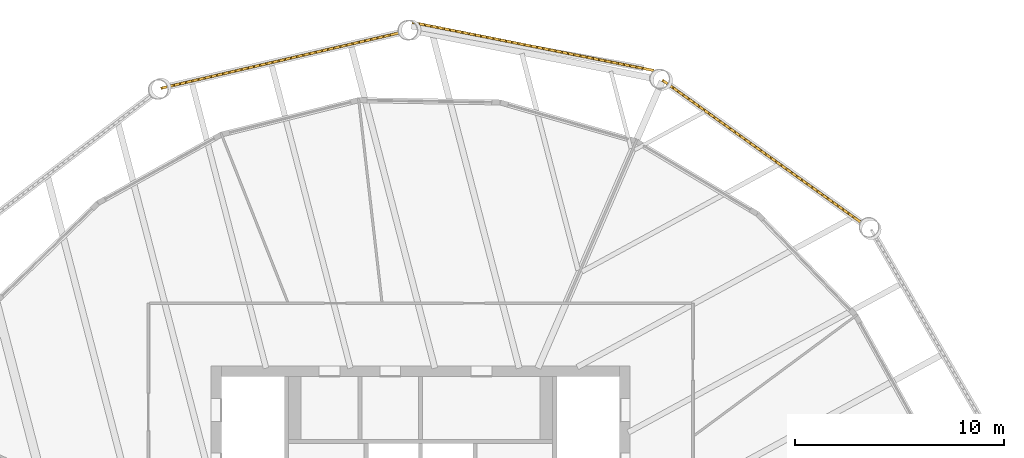
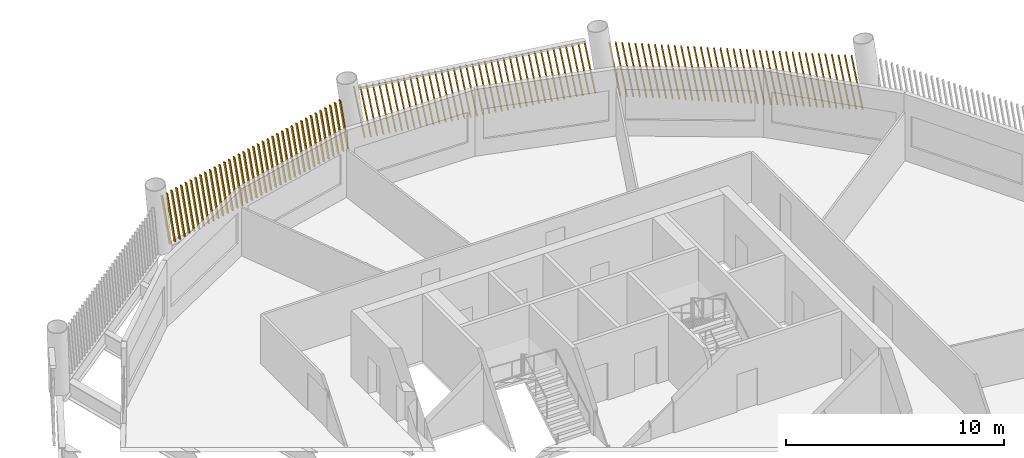
# One storey, part 13 of 14: 3 shading devices.
"""IFC4 building model written with IfcOpenShell, lengths in metres."""

import ifcopenshell
import ifcopenshell.guid

model = None  # the IFC model being written
_history = None  # IfcOwnerHistory: only IFC2X3 demands one
_inside = {}  # id of a spatial element -> (the spatial element, [elements in it])
_under = {}  # id of a project, library or spatial element -> (it, [spatial elements below it])
_declared = {}  # id of a project -> (the project, [libraries it declares])
_typed = {}  # id of a type object -> (the type object, [elements of that type])
_made_of = {}  # id of a material, layer set ... -> (it, [elements and type objects made of it])


def new_model(schema):
    """Start an empty IFC model of exactly this schema.

    Asked for "IFC4X3", IfcOpenShell would pick the latest addendum, in which some entities
    have other attributes; the version numbers below select the first issue.
    IFC2X3 requires an IfcOwnerHistory on every rooted entity: one is made here for all.
    """
    global model, _history
    if schema == "IFC4X3":
        model = ifcopenshell.file(schema_version=(4, 3, 0, 0))
    else:
        model = ifcopenshell.file(schema=schema)
    _inside.clear()
    _under.clear()
    _declared.clear()
    _typed.clear()
    _made_of.clear()
    _history = None
    if model.schema == "IFC2X3":
        org = make("IfcOrganization", Name="unknown")
        user = make(
            "IfcPersonAndOrganization",
            ThePerson=make("IfcPerson", FamilyName="unknown"),
            TheOrganization=org,
        )
        app = make(
            "IfcApplication",
            ApplicationDeveloper=org,
            Version="unknown",
            ApplicationFullName="unknown",
            ApplicationIdentifier="unknown",
        )
        _history = make(
            "IfcOwnerHistory",
            OwningUser=user,
            OwningApplication=app,
            ChangeAction="ADDED",
            CreationDate=0,
        )
    return model


def make(cls, **values):
    """One entity of the class cls with the attributes given. An attribute that is None is left unset."""
    return model.create_entity(
        cls, **{name: value for name, value in values.items() if value is not None}
    )


def rooted(cls, **values):
    """An entity with a GlobalId (a new one), such as an element, a storey or a relation."""
    return make(cls, GlobalId=ifcopenshell.guid.new(), OwnerHistory=_history, **values)


def si_unit(unit_type, name, prefix=None):
    """IfcSIUnit, for example si_unit("LENGTHUNIT", "METRE", prefix="MILLI")."""
    return make("IfcSIUnit", UnitType=unit_type, Prefix=prefix, Name=name)


def assignment(units):
    """IfcUnitAssignment: the units of a project."""
    return None if units is None else make("IfcUnitAssignment", Units=units)


def point(xyz):
    """IfcCartesianPoint."""
    return None if xyz is None else make("IfcCartesianPoint", Coordinates=xyz)


def direction(xyz):
    """IfcDirection."""
    return None if xyz is None else make("IfcDirection", DirectionRatios=xyz)


def frame(location, z_axis=None, x_axis=None):
    """IfcAxis2Placement3D, a coordinate frame: its origin and axes. An axis left out is left unset."""
    return make(
        "IfcAxis2Placement3D",
        Location=point(location),
        Axis=direction(z_axis),
        RefDirection=direction(x_axis),
    )


def frame_2d(location, x_axis=None):
    """IfcAxis2Placement2D, a coordinate frame in the plane: its origin and x axis."""
    return make(
        "IfcAxis2Placement2D", Location=point(location), RefDirection=direction(x_axis)
    )


def origin():
    """The frame at (0, 0, 0) with its axes left unset."""
    return frame((0.0, 0.0, 0.0))


def place(relative_to, where):
    """IfcLocalPlacement: puts the frame where relative to a parent placement (None: the world)."""
    return make(
        "IfcLocalPlacement", PlacementRelTo=relative_to, RelativePlacement=where
    )


def context(
    kind, dimensions, precision=None, world=None, true_north=None, identifier=None
):
    """IfcGeometricRepresentationContext, for example the 3D "Model" context."""
    return make(
        "IfcGeometricRepresentationContext",
        ContextIdentifier=identifier,
        ContextType=kind,
        CoordinateSpaceDimension=dimensions,
        Precision=precision,
        WorldCoordinateSystem=world,
        TrueNorth=true_north,
    )


def subcontext(parent, identifier, kind, view, scale=None):
    """IfcGeometricRepresentationSubContext, for example "Body" below "Model"."""
    return make(
        "IfcGeometricRepresentationSubContext",
        ContextIdentifier=identifier,
        ContextType=kind,
        ParentContext=parent,
        TargetScale=scale,
        TargetView=view,
    )


def project(units=None, contexts=None):
    """IfcProject with its units and contexts."""
    return rooted(
        "IfcProject",
        Name="project",
        RepresentationContexts=contexts,
        UnitsInContext=assignment(units),
    )


def spatial(cls, under=None, at=None, **own):
    """A site, building, storey or space (cls), placed at a placement, below another one or the project."""
    s = rooted(cls, ObjectPlacement=at, **own)
    if under is not None:
        _under.setdefault(under.id(), (under, []))[1].append(s)
    return s


def profile(cls, at=None, kind="AREA", **sizes):
    """A parametric profile (cls). Its sizes go by their IFC names, for example OverallWidth=200.0."""
    return make(cls, ProfileType=kind, Position=at, **sizes)


def rectangle(**sizes):
    """IfcRectangleProfileDef."""
    return profile("IfcRectangleProfileDef", **sizes)


def composite_profile(profiles, kind="AREA"):
    """IfcCompositeProfileDef: several profiles as one."""
    return make("IfcCompositeProfileDef", ProfileType=kind, Profiles=profiles)


def extrude(swept, where, along, depth):
    """IfcExtrudedAreaSolid: the profile swept, set in the frame where, extruded along a direction by depth."""
    return make(
        "IfcExtrudedAreaSolid",
        SweptArea=swept,
        Position=where,
        ExtrudedDirection=direction(along),
        Depth=depth,
    )


def shape(context_of_items, identifier, shape_type, items):
    """IfcShapeRepresentation: the items that make up one representation, for example the "Body"."""
    return make(
        "IfcShapeRepresentation",
        ContextOfItems=context_of_items,
        RepresentationIdentifier=identifier,
        RepresentationType=shape_type,
        Items=items,
    )


def material(Name=None, Category=None):
    """IfcMaterial."""
    return make("IfcMaterial", Name=Name, Category=Category)


def made_of(thing, what):
    """Note that an element or type object is made of a material, layer set ...; save() writes the relation."""
    if what is not None:
        _made_of.setdefault(what.id(), (what, []))[1].append(thing)
    return thing


def type_object(cls, material=None, **own):
    """A type object (cls), such as IfcWallType, which elements share."""
    return made_of(rooted(cls, **own), material)


def element(
    cls,
    number,
    at=None,
    inside=None,
    cuts=None,
    type_object=None,
    material=None,
    context=None,
    identifier="Body",
    shape_type=None,
    held_by="IfcProductDefinitionShape",
    body=None,
    shapes=None,
    **own,
):
    """One element of the class cls, such as IfcWall. Its Tag is "e" and its number.

    at: its placement. inside: the storey or other place that contains it. cuts: it is an
    opening in that element (IfcRelVoidsElement). A single representation is given by context,
    identifier, shape_type and body (its items); several are given by shapes. held_by: the class
    of the entity that holds the representations. save() writes the other relations.
    """
    e = rooted(cls, Tag="e%d" % number, ObjectPlacement=at, **own)
    if body is not None:
        shapes = [shape(context, identifier, shape_type, body)]
    if shapes is not None:
        e.Representation = make(held_by, Representations=shapes)
    if inside is not None:
        _inside.setdefault(inside.id(), (inside, []))[1].append(e)
    if cuts is not None:
        rooted(
            "IfcRelVoidsElement", RelatingBuildingElement=cuts, RelatedOpeningElement=e
        )
    if type_object is not None:
        _typed.setdefault(type_object.id(), (type_object, []))[1].append(e)
    return made_of(e, material)


def aggregate(whole, parts):
    """IfcRelAggregates: a whole, such as a stair, and the parts it consists of."""
    return rooted("IfcRelAggregates", RelatingObject=whole, RelatedObjects=parts)


def save(model, path):
    """Write the relations noted so far, then the file.

    IfcRelAggregates (storeys below a building ...), IfcRelContainedInSpatialStructure (elements
    in a storey), IfcRelDefinesByType, IfcRelAssociatesMaterial and IfcRelDeclares: one each for
    every whole, place, type object, material and project.
    """
    for whole, parts in _under.values():
        aggregate(whole, parts)
    for where, things in _inside.values():
        rooted(
            "IfcRelContainedInSpatialStructure",
            RelatedElements=things,
            RelatingStructure=where,
        )
    for kind, things in _typed.values():
        rooted("IfcRelDefinesByType", RelatedObjects=things, RelatingType=kind)
    for what, things in _made_of.values():
        rooted("IfcRelAssociatesMaterial", RelatedObjects=things, RelatingMaterial=what)
    for by, libraries in _declared.values():
        rooted("IfcRelDeclares", RelatingContext=by, RelatedDefinitions=libraries)
    model.write(path)


model = new_model("IFC4")

# Units and contexts
model_context = context("Model", 3, precision=1e-05, world=origin(), true_north=direction((0.0, 1.0)))
body_context = subcontext(model_context, "Body", "Model", "MODEL_VIEW")
ifc_project = project(units=[si_unit("LENGTHUNIT", "METRE"), si_unit("AREAUNIT", "SQUARE_METRE"), si_unit("VOLUMEUNIT", "CUBIC_METRE"), si_unit("PLANEANGLEUNIT", "RADIAN"), si_unit("MASSUNIT", "GRAM", prefix="KILO")], contexts=[model_context])

# Site, building, storey
site_placement = place(None, origin())
site = spatial("IfcSite", under=ifc_project, at=site_placement, CompositionType="ELEMENT")
building_placement = place(site_placement, origin())
building = spatial("IfcBuilding", under=site, at=building_placement, Name="Tarsis Ring Headquarters", CompositionType="ELEMENT")
storey_placement = place(building_placement, frame((0.0, 0.0, 343.10009765625)))
storey = spatial("IfcBuildingStorey", under=building, at=storey_placement, Name="L81", CompositionType="ELEMENT", Elevation=343.10009765625)

# Shading devices
ifc_material = material(Name="Terracotta baguette", Category="masonry")
shading_device_type = type_object("IfcShadingDeviceType", Name="Terracotta baguette screen", PredefinedType="USERDEFINED", material=ifc_material)
shading_device_1_placement = place(storey_placement, frame((21.10693359375, 19.810302734375, 0.0), z_axis=(0.0, 0.0, 1.0), x_axis=(-0.813000542594, 0.582268041237, 0.0)))
element("IfcShadingDevice", 1, at=shading_device_1_placement, inside=storey, type_object=shading_device_type, Name="Baguette screen L81-10", ObjectType="Terracotta baguette screen", PredefinedType="USERDEFINED", context=body_context, shape_type="SweptSolid", body=[
    extrude(composite_profile([rectangle(XDim=0.06005859375, YDim=0.1201171875, at=frame_2d((0.030029296875, 0.0))), rectangle(XDim=0.06005859375, YDim=0.1201171875, at=frame_2d((0.33251953125, 0.0))), rectangle(XDim=0.06005859375, YDim=0.1201171875, at=frame_2d((0.634765625, 0.0))), rectangle(XDim=0.06005859375, YDim=0.1201171875, at=frame_2d((0.937255859375, 0.0))), rectangle(XDim=0.06005859375, YDim=0.1201171875, at=frame_2d((1.239501953125, 0.0))), rectangle(XDim=0.06005859375, YDim=0.1201171875, at=frame_2d((1.5419921875, 0.0))), rectangle(XDim=0.06005859375, YDim=0.1201171875, at=frame_2d((1.844482421875, 0.0))), rectangle(XDim=0.06005859375, YDim=0.1201171875, at=frame_2d((2.146728515625, 0.0))), rectangle(XDim=0.06005859375, YDim=0.1201171875, at=frame_2d((2.44921875, 0.0))), rectangle(XDim=0.06005859375, YDim=0.1201171875, at=frame_2d((2.751708984375, 0.0))), rectangle(XDim=0.06005859375, YDim=0.1201171875, at=frame_2d((3.053955078125, 0.0))), rectangle(XDim=0.06005859375, YDim=0.1201171875, at=frame_2d((3.3564453125, 0.0))), rectangle(XDim=0.06005859375, YDim=0.1201171875, at=frame_2d((3.65869140625, 0.0))), rectangle(XDim=0.06005859375, YDim=0.1201171875, at=frame_2d((3.961181640625, 0.0))), rectangle(XDim=0.06005859375, YDim=0.1201171875, at=frame_2d((4.263671875, 0.0))), rectangle(XDim=0.06005859375, YDim=0.1201171875, at=frame_2d((4.56591796875, 0.0))), rectangle(XDim=0.06005859375, YDim=0.1201171875, at=frame_2d((4.868408203125, 0.0))), rectangle(XDim=0.06005859375, YDim=0.1201171875, at=frame_2d((5.1708984375, 0.0))), rectangle(XDim=0.06005859375, YDim=0.1201171875, at=frame_2d((5.47314453125, 0.0))), rectangle(XDim=0.06005859375, YDim=0.1201171875, at=frame_2d((5.775634765625, 0.0))), rectangle(XDim=0.06005859375, YDim=0.1201171875, at=frame_2d((6.077880859375, 0.0))), rectangle(XDim=0.06005859375, YDim=0.1201171875, at=frame_2d((6.38037109375, 0.0))), rectangle(XDim=0.06005859375, YDim=0.1201171875, at=frame_2d((6.682861328125, 0.0))), rectangle(XDim=0.06005859375, YDim=0.1201171875, at=frame_2d((6.985107421875, 0.0))), rectangle(XDim=0.06005859375, YDim=0.1201171875, at=frame_2d((7.28759765625, 0.0))), rectangle(XDim=0.06005859375, YDim=0.1201171875, at=frame_2d((7.590087890625, 0.0))), rectangle(XDim=0.06005859375, YDim=0.1201171875, at=frame_2d((7.892333984375, 0.0))), rectangle(XDim=0.06005859375, YDim=0.1201171875, at=frame_2d((8.19482421875, 0.0))), rectangle(XDim=0.06005859375, YDim=0.1201171875, at=frame_2d((8.4970703125, 0.0))), rectangle(XDim=0.06005859375, YDim=0.1201171875, at=frame_2d((8.799560546875, 0.0))), rectangle(XDim=0.06005859375, YDim=0.1201171875, at=frame_2d((9.10205078125, 0.0))), rectangle(XDim=0.06005859375, YDim=0.1201171875, at=frame_2d((9.404296875, 0.0))), rectangle(XDim=0.06005859375, YDim=0.1201171875, at=frame_2d((9.706787109375, 0.0))), rectangle(XDim=0.06005859375, YDim=0.1201171875, at=frame_2d((10.00927734375, 0.0))), rectangle(XDim=0.06005859375, YDim=0.1201171875, at=frame_2d((10.3115234375, 0.0))), rectangle(XDim=0.06005859375, YDim=0.1201171875, at=frame_2d((10.614013671875, 0.0))), rectangle(XDim=0.06005859375, YDim=0.1201171875, at=frame_2d((10.916259765625, 0.0))), rectangle(XDim=0.06005859375, YDim=0.1201171875, at=frame_2d((11.21875, 0.0)))]), origin(), (0.171102125279, 0.001549376465, 0.985252080514), 3.01220703125),
])
shading_device_2_placement = place(storey_placement, frame((11.13818359375, 27.116943359375, 0.0), z_axis=(0.0, 0.0, 1.0), x_axis=(-0.980727075421, 0.195398806294, 0.0)))
element("IfcShadingDevice", 2, at=shading_device_2_placement, inside=storey, type_object=shading_device_type, Name="Baguette screen L81-11", ObjectType="Terracotta baguette screen", PredefinedType="USERDEFINED", context=body_context, shape_type="SweptSolid", body=[
    extrude(composite_profile([rectangle(XDim=0.06005859375, YDim=0.1201171875, at=frame_2d((0.030029296875, 0.0))), rectangle(XDim=0.06005859375, YDim=0.1201171875, at=frame_2d((0.33251953125, 0.0))), rectangle(XDim=0.06005859375, YDim=0.1201171875, at=frame_2d((0.634765625, 0.0))), rectangle(XDim=0.06005859375, YDim=0.1201171875, at=frame_2d((0.937255859375, 0.0))), rectangle(XDim=0.06005859375, YDim=0.1201171875, at=frame_2d((1.239501953125, 0.0))), rectangle(XDim=0.06005859375, YDim=0.1201171875, at=frame_2d((1.5419921875, 0.0))), rectangle(XDim=0.06005859375, YDim=0.1201171875, at=frame_2d((1.844482421875, 0.0))), rectangle(XDim=0.06005859375, YDim=0.1201171875, at=frame_2d((2.146728515625, 0.0))), rectangle(XDim=0.06005859375, YDim=0.1201171875, at=frame_2d((2.44921875, 0.0))), rectangle(XDim=0.06005859375, YDim=0.1201171875, at=frame_2d((2.751708984375, 0.0))), rectangle(XDim=0.06005859375, YDim=0.1201171875, at=frame_2d((3.053955078125, 0.0))), rectangle(XDim=0.06005859375, YDim=0.1201171875, at=frame_2d((3.3564453125, 0.0))), rectangle(XDim=0.06005859375, YDim=0.1201171875, at=frame_2d((3.65869140625, 0.0))), rectangle(XDim=0.06005859375, YDim=0.1201171875, at=frame_2d((3.961181640625, 0.0))), rectangle(XDim=0.06005859375, YDim=0.1201171875, at=frame_2d((4.263671875, 0.0))), rectangle(XDim=0.06005859375, YDim=0.1201171875, at=frame_2d((4.56591796875, 0.0))), rectangle(XDim=0.06005859375, YDim=0.1201171875, at=frame_2d((4.868408203125, 0.0))), rectangle(XDim=0.06005859375, YDim=0.1201171875, at=frame_2d((5.1708984375, 0.0))), rectangle(XDim=0.06005859375, YDim=0.1201171875, at=frame_2d((5.47314453125, 0.0))), rectangle(XDim=0.06005859375, YDim=0.1201171875, at=frame_2d((5.775634765625, 0.0))), rectangle(XDim=0.06005859375, YDim=0.1201171875, at=frame_2d((6.077880859375, 0.0))), rectangle(XDim=0.06005859375, YDim=0.1201171875, at=frame_2d((6.38037109375, 0.0))), rectangle(XDim=0.06005859375, YDim=0.1201171875, at=frame_2d((6.682861328125, 0.0))), rectangle(XDim=0.06005859375, YDim=0.1201171875, at=frame_2d((6.985107421875, 0.0))), rectangle(XDim=0.06005859375, YDim=0.1201171875, at=frame_2d((7.28759765625, 0.0))), rectangle(XDim=0.06005859375, YDim=0.1201171875, at=frame_2d((7.590087890625, 0.0))), rectangle(XDim=0.06005859375, YDim=0.1201171875, at=frame_2d((7.892333984375, 0.0))), rectangle(XDim=0.06005859375, YDim=0.1201171875, at=frame_2d((8.19482421875, 0.0))), rectangle(XDim=0.06005859375, YDim=0.1201171875, at=frame_2d((8.4970703125, 0.0))), rectangle(XDim=0.06005859375, YDim=0.1201171875, at=frame_2d((8.799560546875, 0.0))), rectangle(XDim=0.06005859375, YDim=0.1201171875, at=frame_2d((9.10205078125, 0.0))), rectangle(XDim=0.06005859375, YDim=0.1201171875, at=frame_2d((9.404296875, 0.0))), rectangle(XDim=0.06005859375, YDim=0.1201171875, at=frame_2d((9.706787109375, 0.0))), rectangle(XDim=0.06005859375, YDim=0.1201171875, at=frame_2d((10.00927734375, 0.0))), rectangle(XDim=0.06005859375, YDim=0.1201171875, at=frame_2d((10.3115234375, 0.0))), rectangle(XDim=0.06005859375, YDim=0.1201171875, at=frame_2d((10.614013671875, 0.0))), rectangle(XDim=0.06005859375, YDim=0.1201171875, at=frame_2d((10.916259765625, 0.0))), rectangle(XDim=0.06005859375, YDim=0.1201171875, at=frame_2d((11.21875, 0.0)))]), origin(), (0.173294314992, 0.001570604688, 0.984868830653), 3.013427734375),
])
shading_device_3_placement = place(storey_placement, frame((-0.944580078125, 28.931884765625, 0.0), z_axis=(0.0, 0.0, 1.0), x_axis=(-0.974085729788, -0.226218122626, 0.0)))
element("IfcShadingDevice", 3, at=shading_device_3_placement, inside=storey, type_object=shading_device_type, Name="Baguette screen L81-12", ObjectType="Terracotta baguette screen", PredefinedType="USERDEFINED", context=body_context, shape_type="SweptSolid", body=[
    extrude(composite_profile([rectangle(XDim=0.06005859375, YDim=0.1201171875, at=frame_2d((0.030029296875, 0.0))), rectangle(XDim=0.06005859375, YDim=0.1201171875, at=frame_2d((0.33251953125, 0.0))), rectangle(XDim=0.06005859375, YDim=0.1201171875, at=frame_2d((0.634765625, 0.0))), rectangle(XDim=0.06005859375, YDim=0.1201171875, at=frame_2d((0.937255859375, 0.0))), rectangle(XDim=0.06005859375, YDim=0.1201171875, at=frame_2d((1.239501953125, 0.0))), rectangle(XDim=0.06005859375, YDim=0.1201171875, at=frame_2d((1.5419921875, 0.0))), rectangle(XDim=0.06005859375, YDim=0.1201171875, at=frame_2d((1.844482421875, 0.0))), rectangle(XDim=0.06005859375, YDim=0.1201171875, at=frame_2d((2.146728515625, 0.0))), rectangle(XDim=0.06005859375, YDim=0.1201171875, at=frame_2d((2.44921875, 0.0))), rectangle(XDim=0.06005859375, YDim=0.1201171875, at=frame_2d((2.751708984375, 0.0))), rectangle(XDim=0.06005859375, YDim=0.1201171875, at=frame_2d((3.053955078125, 0.0))), rectangle(XDim=0.06005859375, YDim=0.1201171875, at=frame_2d((3.3564453125, 0.0))), rectangle(XDim=0.06005859375, YDim=0.1201171875, at=frame_2d((3.65869140625, 0.0))), rectangle(XDim=0.06005859375, YDim=0.1201171875, at=frame_2d((3.961181640625, 0.0))), rectangle(XDim=0.06005859375, YDim=0.1201171875, at=frame_2d((4.263671875, 0.0))), rectangle(XDim=0.06005859375, YDim=0.1201171875, at=frame_2d((4.56591796875, 0.0))), rectangle(XDim=0.06005859375, YDim=0.1201171875, at=frame_2d((4.868408203125, 0.0))), rectangle(XDim=0.06005859375, YDim=0.1201171875, at=frame_2d((5.1708984375, 0.0))), rectangle(XDim=0.06005859375, YDim=0.1201171875, at=frame_2d((5.47314453125, 0.0))), rectangle(XDim=0.06005859375, YDim=0.1201171875, at=frame_2d((5.775634765625, 0.0))), rectangle(XDim=0.06005859375, YDim=0.1201171875, at=frame_2d((6.077880859375, 0.0))), rectangle(XDim=0.06005859375, YDim=0.1201171875, at=frame_2d((6.38037109375, 0.0))), rectangle(XDim=0.06005859375, YDim=0.1201171875, at=frame_2d((6.682861328125, 0.0))), rectangle(XDim=0.06005859375, YDim=0.1201171875, at=frame_2d((6.985107421875, 0.0))), rectangle(XDim=0.06005859375, YDim=0.1201171875, at=frame_2d((7.28759765625, 0.0))), rectangle(XDim=0.06005859375, YDim=0.1201171875, at=frame_2d((7.590087890625, 0.0))), rectangle(XDim=0.06005859375, YDim=0.1201171875, at=frame_2d((7.892333984375, 0.0))), rectangle(XDim=0.06005859375, YDim=0.1201171875, at=frame_2d((8.19482421875, 0.0))), rectangle(XDim=0.06005859375, YDim=0.1201171875, at=frame_2d((8.4970703125, 0.0))), rectangle(XDim=0.06005859375, YDim=0.1201171875, at=frame_2d((8.799560546875, 0.0))), rectangle(XDim=0.06005859375, YDim=0.1201171875, at=frame_2d((9.10205078125, 0.0))), rectangle(XDim=0.06005859375, YDim=0.1201171875, at=frame_2d((9.404296875, 0.0))), rectangle(XDim=0.06005859375, YDim=0.1201171875, at=frame_2d((9.706787109375, 0.0))), rectangle(XDim=0.06005859375, YDim=0.1201171875, at=frame_2d((10.00927734375, 0.0))), rectangle(XDim=0.06005859375, YDim=0.1201171875, at=frame_2d((10.3115234375, 0.0))), rectangle(XDim=0.06005859375, YDim=0.1201171875, at=frame_2d((10.614013671875, 0.0))), rectangle(XDim=0.06005859375, YDim=0.1201171875, at=frame_2d((10.916259765625, 0.0))), rectangle(XDim=0.06005859375, YDim=0.1201171875, at=frame_2d((11.21875, 0.0)))]), origin(), (0.17110296021, 0.001551133876, 0.985251932752), 3.01220703125),
])

save(model, "model.ifc")
